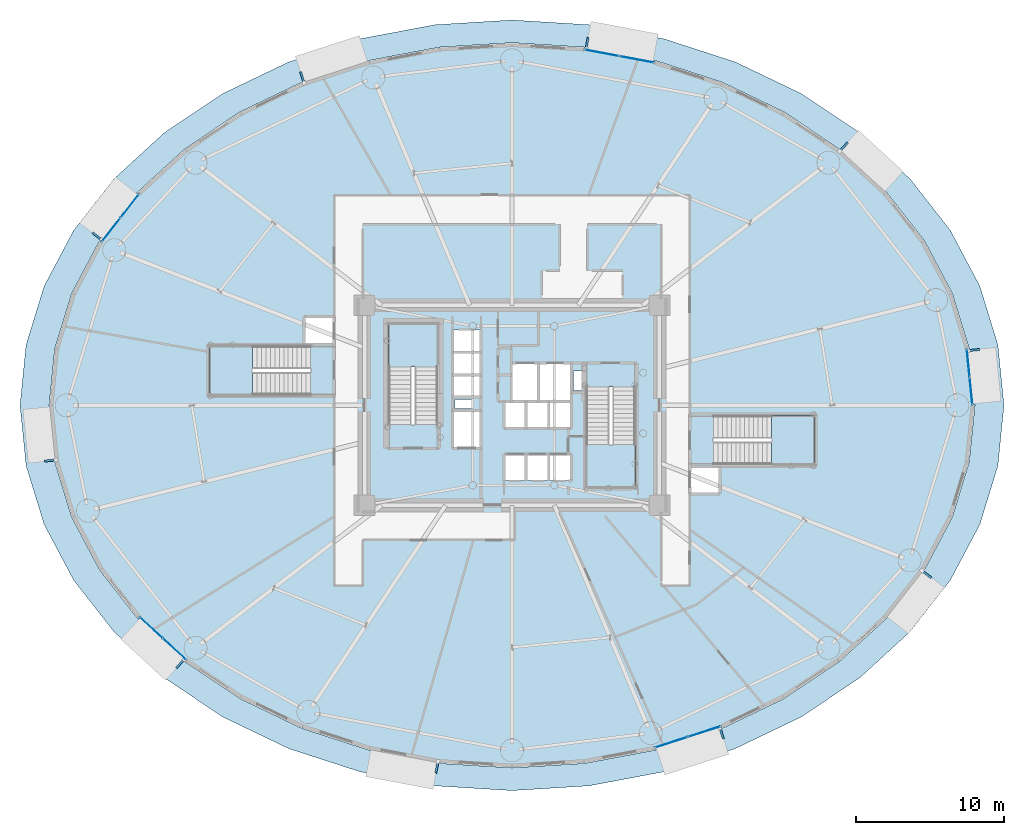
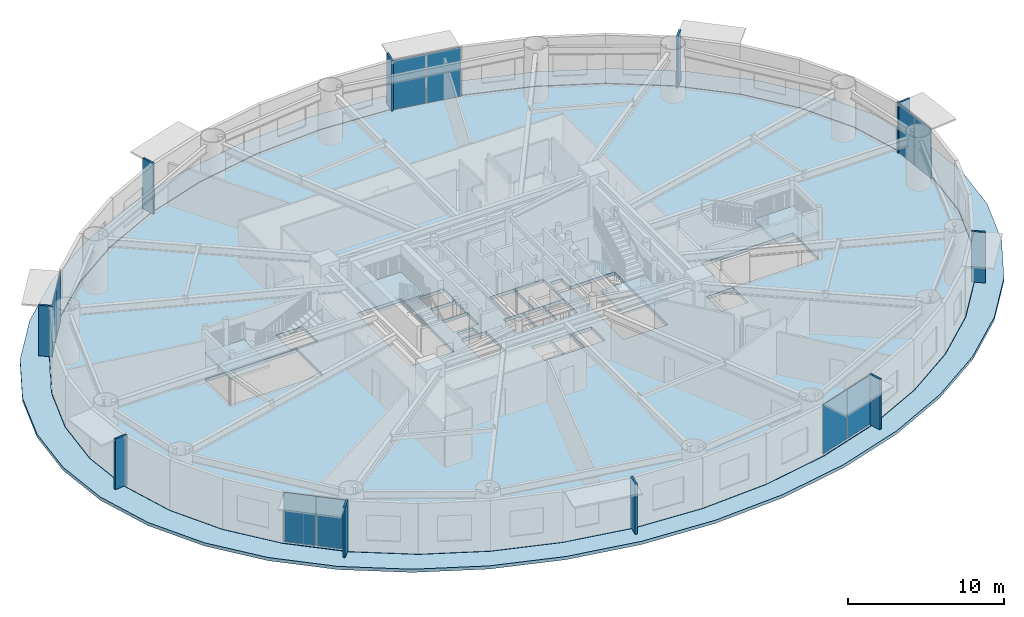
# One storey, part 15 of 35: 20 plates, 6 slabs, 9 elements without a shape of their own.
"""IFC4 building model written with IfcOpenShell, lengths in metres."""

from ifc_helpers import new_model, si_unit, direction, frame, origin, origin_2d, place, context, subcontext, project, spatial, polyline, rectangle, outline, extrude, source, transform, mapped, material, layer, layer_set, type_object, element, aggregate, save


model = new_model("IFC4")

# Units and contexts
model_context = context("Model", 3, precision=1e-05, world=origin(), true_north=direction((0.0, 1.0)))
body_context = subcontext(model_context, "Body", "Model", "MODEL_VIEW")
ifc_project = project(units=[si_unit("LENGTHUNIT", "METRE"), si_unit("AREAUNIT", "SQUARE_METRE"), si_unit("VOLUMEUNIT", "CUBIC_METRE"), si_unit("PLANEANGLEUNIT", "RADIAN"), si_unit("MASSUNIT", "GRAM", prefix="KILO")], contexts=[model_context])

# Site, building, storey
site_placement = place(None, origin())
site = spatial("IfcSite", under=ifc_project, at=site_placement, CompositionType="ELEMENT")
building_placement = place(site_placement, origin())
building = spatial("IfcBuilding", under=site, at=building_placement, Name="Linh Dai School and Residence Tower", CompositionType="ELEMENT")
storey_placement = place(building_placement, frame((0.0, 0.0, 32.39990234375)))
storey = spatial("IfcBuildingStorey", under=building, at=storey_placement, Name="L07", CompositionType="ELEMENT", Elevation=32.39990234375)

# Slabs
ifc_material_1 = material(Name="Concrete B45 (C35/45)", Category="concrete")
ifc_layer_1 = layer(ifc_material_1, 0.25)
ifc_layer_set_1 = layer_set([ifc_layer_1], Name="Concrete B45 (C35/45)")
slab_type_1 = type_object("IfcSlabType", Name="SLB-FLR250", PredefinedType="FLOOR", material=ifc_layer_set_1)
slab_1_placement = place(storey_placement, frame((0.0, 0.0, -0.25)))
element("IfcSlab", 1, at=slab_1_placement, inside=storey, type_object=slab_type_1, Name="L07 Composite Structural Floor Slab", PredefinedType="FLOOR", context=body_context, shape_type="SweptSolid", body=[
    extrude(outline(polyline([(67.199951171875, 27.0), (66.81591796875, 30.82177734375), (65.6728515625, 34.54931640625), (63.79931640625, 38.091064453125), (61.2412109375, 41.359619140625), (58.061767578125, 44.274658203125), (54.3388671875, 46.764404296875), (50.16455078125, 48.767333984375), (45.641357421875, 50.234375), (40.880859375, 51.129150390625), (36.0, 51.429931640625), (31.119140625, 51.129150390625), (26.358642578125, 50.234375), (21.83544921875, 48.767333984375), (17.6611328125, 46.764404296875), (13.938232421875, 44.274658203125), (10.7587890625, 41.359619140625), (8.20068359375, 38.091064453125), (6.3271484375, 34.54931640625), (5.18408203125, 30.82177734375), (4.800048828125, 27.0), (5.18408203125, 23.17822265625), (6.3271484375, 19.45068359375), (8.20068359375, 15.908935546875), (10.7587890625, 12.640380859375), (13.938232421875, 9.725341796875), (17.6611328125, 7.235595703125), (21.83544921875, 5.232666015625), (26.358642578125, 3.765625), (31.119140625, 2.870849609375), (36.0, 2.570068359375), (40.880859375, 2.870849609375), (45.641357421875, 3.765625), (50.16455078125, 5.232666015625), (54.3388671875, 7.235595703125), (58.061767578125, 9.725341796875), (61.2412109375, 12.640380859375), (63.79931640625, 15.908935546875), (65.6728515625, 19.45068359375), (66.81591796875, 23.17822265625), (67.199951171875, 27.0)]), holes=[polyline([(30.97998046875, 25.699951171875), (30.97998046875, 32.5), (27.679931640625, 32.5), (27.679931640625, 25.699951171875), (30.97998046875, 25.699951171875)]), polyline([(41.02001953125, 28.25), (41.02001953125, 21.449951171875), (44.320068359375, 21.449951171875), (44.320068359375, 28.25), (41.02001953125, 28.25)]), polyline([(22.39990234375, 31.0), (15.60009765625, 31.0), (15.60009765625, 27.699951171875), (22.39990234375, 27.699951171875), (22.39990234375, 31.0)]), polyline([(49.60009765625, 23.0), (56.39990234375, 23.0), (56.39990234375, 26.300048828125), (49.60009765625, 26.300048828125), (49.60009765625, 23.0)]), polyline([(35.97998046875, 27.280029296875), (37.77001953125, 27.280029296875), (37.77001953125, 29.820068359375), (35.97998046875, 29.820068359375), (35.97998046875, 27.280029296875)]), polyline([(32.030029296875, 24.1298828125), (33.8701171875, 24.1298828125), (33.8701171875, 26.6201171875), (32.030029296875, 26.6201171875), (32.030029296875, 24.1298828125)]), polyline([(37.830078125, 27.280029296875), (39.969970703125, 27.280029296875), (39.969970703125, 29.820068359375), (37.830078125, 29.820068359375), (37.830078125, 27.280029296875)]), polyline([(35.47998046875, 21.929931640625), (36.929931640625, 21.929931640625), (36.929931640625, 23.669921875), (35.47998046875, 23.669921875), (35.47998046875, 21.929931640625)]), polyline([(36.989990234375, 21.929931640625), (38.449951171875, 21.929931640625), (38.449951171875, 23.669921875), (36.989990234375, 23.669921875), (36.989990234375, 21.929931640625)]), polyline([(38.510009765625, 21.929931640625), (39.969970703125, 21.929931640625), (39.969970703125, 23.669921875), (38.510009765625, 23.669921875), (38.510009765625, 21.929931640625)]), polyline([(32.030029296875, 27.580078125), (33.8701171875, 27.580078125), (33.8701171875, 29.030029296875), (32.030029296875, 29.030029296875), (32.030029296875, 27.580078125)]), polyline([(32.030029296875, 29.090087890625), (33.8701171875, 29.090087890625), (33.8701171875, 30.550048828125), (32.030029296875, 30.550048828125), (32.030029296875, 29.090087890625)]), polyline([(32.030029296875, 30.610107421875), (33.8701171875, 30.610107421875), (33.8701171875, 32.070068359375), (32.030029296875, 32.070068359375), (32.030029296875, 30.610107421875)]), polyline([(35.47998046875, 25.47998046875), (36.929931640625, 25.47998046875), (36.929931640625, 27.219970703125), (35.47998046875, 27.219970703125), (35.47998046875, 25.47998046875)]), polyline([(36.989990234375, 25.47998046875), (38.449951171875, 25.47998046875), (38.449951171875, 27.219970703125), (36.989990234375, 27.219970703125), (36.989990234375, 25.47998046875)]), polyline([(38.510009765625, 25.47998046875), (39.969970703125, 25.47998046875), (39.969970703125, 27.219970703125), (38.510009765625, 27.219970703125), (38.510009765625, 25.47998046875)]), polyline([(21.97998046875, 31.080078125), (23.969970703125, 31.080078125), (23.969970703125, 32.969970703125), (21.97998046875, 32.969970703125), (21.97998046875, 31.080078125)]), polyline([(48.030029296875, 21.030029296875), (50.02001953125, 21.030029296875), (50.02001953125, 22.919921875), (48.030029296875, 22.919921875), (48.030029296875, 21.030029296875)]), polyline([(40.14990234375, 28.0), (40.14990234375, 29.300048828125), (41.0, 29.300048828125), (41.0, 28.280029296875), (40.989990234375, 28.280029296875), (40.989990234375, 28.0), (40.14990234375, 28.0)]), polyline([(32.14990234375, 26.800048828125), (33.35009765625, 26.800048828125), (33.35009765625, 27.39990234375), (32.14990234375, 27.39990234375), (32.14990234375, 26.800048828125)])]), origin(), (0.0, 0.0, 1.0), 0.25),
])
ifc_layer_2 = layer(ifc_material_1, 0.300048828125)
ifc_layer_set_2 = layer_set([ifc_layer_2], Name="Concrete B45 (C35/45)")
slab_type_2 = type_object("IfcSlabType", Name="SLB-ROOF300", PredefinedType="ROOF", material=ifc_layer_set_2)
slab_2_placement = place(storey_placement, frame((0.0, 0.0, -0.25)))
element("IfcSlab", 2, at=slab_2_placement, inside=storey, type_object=slab_type_2, Name="L07 Setback Step Insulated Roof Slab", PredefinedType="ROOF", context=body_context, shape_type="SweptSolid", body=[
    extrude(outline(polyline([(69.199951171875, 27.0), (68.791259765625, 31.0673828125), (67.5751953125, 35.034423828125), (65.581298828125, 38.8037109375), (62.859375, 42.282470703125), (59.475830078125, 45.384765625), (55.514404296875, 48.034423828125), (51.072509765625, 50.166259765625), (46.25927734375, 51.7275390625), (41.193603515625, 52.679931640625), (36.0, 53.0), (30.806396484375, 52.679931640625), (25.74072265625, 51.7275390625), (20.927490234375, 50.166259765625), (16.485595703125, 48.034423828125), (12.524169921875, 45.384765625), (9.140625, 42.282470703125), (6.418701171875, 38.8037109375), (4.4248046875, 35.034423828125), (3.208740234375, 31.0673828125), (2.800048828125, 27.0), (3.208740234375, 22.9326171875), (4.4248046875, 18.965576171875), (6.418701171875, 15.1962890625), (9.140625, 11.717529296875), (12.524169921875, 8.615234375), (16.485595703125, 5.965576171875), (20.927490234375, 3.833740234375), (25.74072265625, 2.2724609375), (30.806396484375, 1.320068359375), (36.0, 1.0), (41.193603515625, 1.320068359375), (46.25927734375, 2.2724609375), (51.072509765625, 3.833740234375), (55.514404296875, 5.965576171875), (59.475830078125, 8.615234375), (62.859375, 11.717529296875), (65.581298828125, 15.1962890625), (67.5751953125, 18.965576171875), (68.791259765625, 22.9326171875), (69.199951171875, 27.0)]), holes=[polyline([(67.22998046875, 27.0), (66.845458984375, 30.826416015625), (65.701416015625, 34.55859375), (63.826171875, 38.1044921875), (61.265625, 41.377197265625), (58.0830078125, 44.2958984375), (54.3564453125, 46.78857421875), (50.17822265625, 48.7939453125), (45.650634765625, 50.262939453125), (40.885498046875, 51.158935546875), (36.0, 51.4599609375), (31.114501953125, 51.158935546875), (26.349365234375, 50.262939453125), (21.82177734375, 48.7939453125), (17.6435546875, 46.78857421875), (13.9169921875, 44.2958984375), (10.734375, 41.377197265625), (8.173828125, 38.1044921875), (6.298583984375, 34.55859375), (5.154541015625, 30.826416015625), (4.77001953125, 27.0), (5.154541015625, 23.173583984375), (6.298583984375, 19.44140625), (8.173828125, 15.8955078125), (10.734375, 12.622802734375), (13.9169921875, 9.7041015625), (17.6435546875, 7.21142578125), (21.82177734375, 5.2060546875), (26.349365234375, 3.737060546875), (31.114501953125, 2.841064453125), (36.0, 2.5400390625), (40.885498046875, 2.841064453125), (45.650634765625, 3.737060546875), (50.17822265625, 5.2060546875), (54.3564453125, 7.21142578125), (58.0830078125, 9.7041015625), (61.265625, 12.622802734375), (63.826171875, 15.8955078125), (65.701416015625, 19.44140625), (66.845458984375, 23.173583984375), (67.22998046875, 27.0)])]), origin(), (0.0, 0.0, 1.0), 0.25),
])

# Stair, slab
stair_type = type_object("IfcStairType", Name="ST-DOG-1550-R1500", PredefinedType="HALF_TURN_STAIR", material=ifc_material_1)
stair_1_placement = place(storey_placement, origin())
stair_1 = element("IfcStair", 3, at=stair_1_placement, inside=storey, type_object=stair_type, Name="L07 Core Smokeproof Exit Stair ST1", PredefinedType="HALF_TURN_STAIR")
ifc_layer_3 = layer(ifc_material_1, 0.199951171875)
ifc_layer_set_3 = layer_set([ifc_layer_3], Name="Concrete B45 (C35/45)")
slab_type_3 = type_object("IfcSlabType", Name="SLB-ST-LANDING-200", PredefinedType="LANDING", material=ifc_layer_set_3)
slab_3_placement = place(storey_placement, frame((0.0, 0.0, 1.900146484375)))
slab_3 = element("IfcSlab", 4, at=slab_3_placement, type_object=slab_type_3, Name="ST1 landing 1", PredefinedType="LANDING", context=body_context, shape_type="SweptSolid", body=[
    extrude(outline(polyline([(30.97998046875, 29.60009765625), (30.97998046875, 32.5), (27.679931640625, 32.5), (27.679931640625, 29.60009765625), (30.97998046875, 29.60009765625)])), origin(), (0.0, 0.0, 1.0), 0.199951171875),
])
aggregate(stair_1, [slab_3])

stair_2_placement = place(storey_placement, origin())
stair_2 = element("IfcStair", 5, at=stair_2_placement, inside=storey, type_object=stair_type, Name="L07 Core Smokeproof Exit Stair ST2", PredefinedType="HALF_TURN_STAIR")
slab_4_placement = place(storey_placement, frame((0.0, 0.0, 1.900146484375)))
slab_4 = element("IfcSlab", 6, at=slab_4_placement, type_object=slab_type_3, Name="ST2 landing 1", PredefinedType="LANDING", context=body_context, shape_type="SweptSolid", body=[
    extrude(outline(polyline([(41.02001953125, 24.35009765625), (41.02001953125, 21.449951171875), (44.320068359375, 21.449951171875), (44.320068359375, 24.35009765625), (41.02001953125, 24.35009765625)])), origin(), (0.0, 0.0, 1.0), 0.199951171875),
])
aggregate(stair_2, [slab_4])

stair_3_placement = place(storey_placement, origin())
stair_3 = element("IfcStair", 7, at=stair_3_placement, inside=storey, type_object=stair_type, Name="L07 School Exit Stair STS1", PredefinedType="HALF_TURN_STAIR")
slab_5_placement = place(storey_placement, frame((0.0, 0.0, 1.900146484375)))
slab_5 = element("IfcSlab", 8, at=slab_5_placement, type_object=slab_type_3, Name="STS1 landing 1", PredefinedType="LANDING", context=body_context, shape_type="SweptSolid", body=[
    extrude(outline(polyline([(18.5, 31.0), (15.60009765625, 31.0), (15.60009765625, 27.699951171875), (18.5, 27.699951171875), (18.5, 31.0)])), origin(), (0.0, 0.0, 1.0), 0.199951171875),
])
aggregate(stair_3, [slab_5])

stair_4_placement = place(storey_placement, origin())
stair_4 = element("IfcStair", 9, at=stair_4_placement, inside=storey, type_object=stair_type, Name="L07 School Exit Stair STS2", PredefinedType="HALF_TURN_STAIR")
slab_6_placement = place(storey_placement, frame((0.0, 0.0, 1.900146484375)))
slab_6 = element("IfcSlab", 10, at=slab_6_placement, type_object=slab_type_3, Name="STS2 landing 1", PredefinedType="LANDING", context=body_context, shape_type="SweptSolid", body=[
    extrude(outline(polyline([(53.5, 23.0), (56.39990234375, 23.0), (56.39990234375, 26.300048828125), (53.5, 26.300048828125), (53.5, 23.0)])), origin(), (0.0, 0.0, 1.0), 0.199951171875),
])
aggregate(stair_4, [slab_6])

# Curtain wall, plates
ifc_material_2 = material(Name="Aluminium Anodised Curtain Wall", Category="aluminium")
ifc_layer_4 = layer(ifc_material_2, 0.159912109375)
ifc_layer_set_4 = layer_set([ifc_layer_4], Name="Aluminium Anodised Curtain Wall")
curtain_wall_type = type_object("IfcCurtainWallType", Name="CW-SYS-3", PredefinedType="USERDEFINED", material=ifc_layer_set_4)
curtain_wall_1_placement = place(storey_placement, origin())
curtain_wall_1 = element("IfcCurtainWall", 11, at=curtain_wall_1_placement, inside=storey, type_object=curtain_wall_type, Name="L07 CW3 Curtain Wall 01", ObjectType="RIBBON CURTAIN WALL", PredefinedType="USERDEFINED")
ifc_material_3 = material(Name="Double Low-E Insulated Glazing", Category="glass")
ifc_layer_5 = layer(ifc_material_3, 0.028076171875)
ifc_layer_set_5 = layer_set([ifc_layer_5], Name="Double Low-E Insulated Glazing")
plate_type_1 = type_object("IfcPlateType", Name="CW-SYS-3-PAN", PredefinedType="CURTAIN_PANEL", material=ifc_layer_set_5)
shared_shape_1 = source(origin(), body_context, "Body", "SweptSolid", [
    extrude(rectangle(XDim=1.825439453125, YDim=0.028076171875, at=origin_2d()), origin(), (0.0, 0.0, 1.0), 3.840087890625),
])
plate_1_placement = place(storey_placement, frame((66.7900390625, 29.833984375, 0.05517578125), z_axis=(0.0, 0.0, 1.0), x_axis=(0.100009387998, -0.994986493533, 0.0)))
plate_1 = element("IfcPlate", 12, at=plate_1_placement, type_object=plate_type_1, Name="CW3 panel 1.1", PredefinedType="CURTAIN_PANEL", context=body_context, shape_type="MappedRepresentation", body=[
    mapped(shared_shape_1, transform((0.0, 0.0, 0.0), x_axis=(1.0, 0.0, 0.0), y_axis=(0.0, 1.0, 0.0), z_axis=(0.0, 0.0, 1.0), scale=1.0)),
])
plate_2_placement = place(storey_placement, frame((66.978271484375, 27.962890625, 0.05517578125), z_axis=(0.0, 0.0, 1.0), x_axis=(0.100009387998, -0.994986493533, 0.0)))
plate_2 = element("IfcPlate", 13, at=plate_2_placement, type_object=plate_type_1, Name="CW3 panel 2.1", PredefinedType="CURTAIN_PANEL", context=body_context, shape_type="MappedRepresentation", body=[
    mapped(shared_shape_1, transform((0.0, 0.0, 0.0), x_axis=(1.0, 0.0, 0.0), y_axis=(0.0, 1.0, 0.0), z_axis=(0.0, 0.0, 1.0), scale=1.0)),
])
aggregate(curtain_wall_1, [plate_1, plate_2])

# Plates
ifc_material_4 = material(Name="Precast Concrete B45 (C35/45)", Category="concrete")
ifc_layer_6 = layer(ifc_material_4, 0.139892578125)
ifc_layer_set_6 = layer_set([ifc_layer_6], Name="Precast Concrete B45 (C35/45)")
plate_type_2 = type_object("IfcPlateType", Name="FIN-TC-900x140", PredefinedType="USERDEFINED", material=ifc_layer_set_6)
shared_shape_2 = source(origin(), body_context, "Body", "SweptSolid", [
    extrude(rectangle(XDim=0.89990234375, YDim=0.139892578125, at=origin_2d()), origin(), (0.0, 0.0, 1.0), 3.949951171875),
])
for number, where, z_axis, x_axis, name in (
    (14, (67.11328125, 30.718505859375, 0.0), (0.0, 0.0, 1.0), (0.994986493533, 0.100009387998, 0.0), "L07 Precast Terracotta Radial Fin 01"),
    (15, (58.35009765625, 44.397216796875, 0.0), (0.0, 0.0, 1.0), (0.675769237268, 0.737113246362, 0.0), "L07 Precast Terracotta Radial Fin 05"),
    (16, (41.05908203125, 51.385986328125, 0.0), (0.0, 0.0, 1.0), (0.184747948944, 0.982785935675, 0.0), "L07 Precast Terracotta Radial Fin 09"),
    (17, (21.869384765625, 49.078125, 0.0), (0.0, 0.0, 1.0), (-0.308510993844, 0.951220777043, 0.0), "L07 Precast Terracotta Radial Fin 13"),
    (18, (8.056396484375, 38.3701171875, 0.0), (0.0, 0.0, 1.0), (-0.787496262172, 0.616319427785, 0.0), "L07 Precast Terracotta Radial Fin 17"),
    (19, (4.88671875, 23.281494140625, 0.0), (0.0, 0.0, 1.0), (-0.994986493533, -0.100009387998, 0.0), "L07 Precast Terracotta Radial Fin 21"),
    (20, (13.64990234375, 9.602783203125, 0.0), (0.0, 0.0, 1.0), (-0.675769237268, -0.737113246362, 0.0), "L07 Precast Terracotta Radial Fin 25"),
    (21, (30.94091796875, 2.614013671875, 0.0), (0.0, 0.0, 1.0), (-0.184747948944, -0.982785935675, 0.0), "L07 Precast Terracotta Radial Fin 29"),
    (22, (50.130615234375, 4.921875, 0.0), (0.0, 0.0, 1.0), (0.308510993844, -0.951220777043, 0.0), "L07 Precast Terracotta Radial Fin 33"),
    (23, (63.943603515625, 15.6298828125, 0.0), (0.0, 0.0, 1.0), (0.787496262172, -0.616319427785, 0.0), "L07 Precast Terracotta Radial Fin 37"),
):
    element("IfcPlate", number, at=place(storey_placement, frame(where, z_axis=z_axis, x_axis=x_axis)), inside=storey, type_object=plate_type_2, Name=name, ObjectType="RADIAL FIN", PredefinedType="USERDEFINED", context=body_context, shape_type="MappedRepresentation", body=[
        mapped(shared_shape_2, transform((0.0, 0.0, 0.0), x_axis=(1.0, 0.0, 0.0), y_axis=(0.0, 1.0, 0.0), z_axis=(0.0, 0.0, 1.0), scale=1.0)),
    ])

# Curtain wall, plates
curtain_wall_2_placement = place(storey_placement, origin())
curtain_wall_2 = element("IfcCurtainWall", 24, at=curtain_wall_2_placement, inside=storey, type_object=curtain_wall_type, Name="L07 CW3 Curtain Wall 09", ObjectType="RIBBON CURTAIN WALL", PredefinedType="USERDEFINED")
shared_shape_3 = source(origin(), body_context, "Body", "SweptSolid", [
    extrude(rectangle(XDim=2.33154296875, YDim=0.028076171875, at=origin_2d()), origin(), (0.0, 0.0, 1.0), 3.840087890625),
])
plate_3_placement = place(storey_placement, frame((42.065185546875, 50.779541015625, 0.05517578125), z_axis=(0.0, 0.0, 1.0), x_axis=(0.982785935675, -0.184747948944, 0.0)))
plate_3 = element("IfcPlate", 25, at=plate_3_placement, type_object=plate_type_1, Name="CW3 panel 1.1", PredefinedType="CURTAIN_PANEL", context=body_context, shape_type="MappedRepresentation", body=[
    mapped(shared_shape_3, transform((0.0, 0.0, 0.0), x_axis=(1.0, 0.0, 0.0), y_axis=(0.0, 1.0, 0.0), z_axis=(0.0, 0.0, 1.0), scale=1.0)),
])
plate_4_placement = place(storey_placement, frame((44.41064453125, 50.338623046875, 0.05517578125), z_axis=(0.0, 0.0, 1.0), x_axis=(0.982785935675, -0.184747948944, 0.0)))
plate_4 = element("IfcPlate", 26, at=plate_4_placement, type_object=plate_type_1, Name="CW3 panel 2.1", PredefinedType="CURTAIN_PANEL", context=body_context, shape_type="MappedRepresentation", body=[
    mapped(shared_shape_3, transform((0.0, 0.0, 0.0), x_axis=(1.0, 0.0, 0.0), y_axis=(0.0, 1.0, 0.0), z_axis=(0.0, 0.0, 1.0), scale=1.0)),
])
aggregate(curtain_wall_2, [plate_3, plate_4])

curtain_wall_3_placement = place(storey_placement, origin())
curtain_wall_3 = element("IfcCurtainWall", 27, at=curtain_wall_3_placement, inside=storey, type_object=curtain_wall_type, Name="L07 CW3 Curtain Wall 17", ObjectType="RIBBON CURTAIN WALL", PredefinedType="USERDEFINED")
shared_shape_4 = source(origin(), body_context, "Body", "SweptSolid", [
    extrude(rectangle(XDim=1.982177734375, YDim=0.028076171875, at=origin_2d()), origin(), (0.0, 0.0, 1.0), 3.840087890625),
])
plate_5_placement = place(storey_placement, frame((8.9501953125, 38.8466796875, 0.05517578125), z_axis=(0.0, 0.0, 1.0), x_axis=(0.616319427785, 0.787496262172, 0.0)))
plate_5 = element("IfcPlate", 28, at=plate_5_placement, type_object=plate_type_1, Name="CW3 panel 1.1", PredefinedType="CURTAIN_PANEL", context=body_context, shape_type="MappedRepresentation", body=[
    mapped(shared_shape_4, transform((0.0, 0.0, 0.0), x_axis=(1.0, 0.0, 0.0), y_axis=(0.0, 1.0, 0.0), z_axis=(0.0, 0.0, 1.0), scale=1.0)),
])
plate_6_placement = place(storey_placement, frame((10.20556640625, 40.45068359375, 0.05517578125), z_axis=(0.0, 0.0, 1.0), x_axis=(0.616319427785, 0.787496262172, 0.0)))
plate_6 = element("IfcPlate", 29, at=plate_6_placement, type_object=plate_type_1, Name="CW3 panel 2.1", PredefinedType="CURTAIN_PANEL", context=body_context, shape_type="MappedRepresentation", body=[
    mapped(shared_shape_4, transform((0.0, 0.0, 0.0), x_axis=(1.0, 0.0, 0.0), y_axis=(0.0, 1.0, 0.0), z_axis=(0.0, 0.0, 1.0), scale=1.0)),
])
aggregate(curtain_wall_3, [plate_5, plate_6])

curtain_wall_4_placement = place(storey_placement, origin())
curtain_wall_4 = element("IfcCurtainWall", 30, at=curtain_wall_4_placement, inside=storey, type_object=curtain_wall_type, Name="L07 CW3 Curtain Wall 25", ObjectType="RIBBON CURTAIN WALL", PredefinedType="USERDEFINED")
shared_shape_5 = source(origin(), body_context, "Body", "SweptSolid", [
    extrude(rectangle(XDim=2.064453125, YDim=0.028076171875, at=origin_2d()), origin(), (0.0, 0.0, 1.0), 3.840087890625),
])
plate_7_placement = place(storey_placement, frame((13.2138671875, 10.55859375, 0.05517578125), z_axis=(0.0, 0.0, 1.0), x_axis=(-0.737113246362, 0.675769237268, 0.0)))
plate_7 = element("IfcPlate", 31, at=plate_7_placement, type_object=plate_type_1, Name="CW3 panel 1.1", PredefinedType="CURTAIN_PANEL", context=body_context, shape_type="MappedRepresentation", body=[
    mapped(shared_shape_5, transform((0.0, 0.0, 0.0), x_axis=(1.0, 0.0, 0.0), y_axis=(0.0, 1.0, 0.0), z_axis=(0.0, 0.0, 1.0), scale=1.0)),
])
plate_8_placement = place(storey_placement, frame((11.651611328125, 11.99072265625, 0.05517578125), z_axis=(0.0, 0.0, 1.0), x_axis=(-0.737113246362, 0.675769237268, 0.0)))
plate_8 = element("IfcPlate", 32, at=plate_8_placement, type_object=plate_type_1, Name="CW3 panel 2.1", PredefinedType="CURTAIN_PANEL", context=body_context, shape_type="MappedRepresentation", body=[
    mapped(shared_shape_5, transform((0.0, 0.0, 0.0), x_axis=(1.0, 0.0, 0.0), y_axis=(0.0, 1.0, 0.0), z_axis=(0.0, 0.0, 1.0), scale=1.0)),
])
aggregate(curtain_wall_4, [plate_7, plate_8])

curtain_wall_5_placement = place(storey_placement, origin())
curtain_wall_5 = element("IfcCurtainWall", 33, at=curtain_wall_5_placement, inside=storey, type_object=curtain_wall_type, Name="L07 CW3 Curtain Wall 33", ObjectType="RIBBON CURTAIN WALL", PredefinedType="USERDEFINED")
shared_shape_6 = source(origin(), body_context, "Body", "SweptSolid", [
    extrude(rectangle(XDim=2.286865234375, YDim=0.028076171875, at=origin_2d()), origin(), (0.0, 0.0, 1.0), 3.840087890625),
])
plate_9_placement = place(storey_placement, frame((48.978271484375, 4.97900390625, 0.05517578125), z_axis=(0.0, 0.0, 1.0), x_axis=(-0.951220777043, -0.308510993844, 0.0)))
plate_9 = element("IfcPlate", 34, at=plate_9_placement, type_object=plate_type_1, Name="CW3 panel 1.1", PredefinedType="CURTAIN_PANEL", context=body_context, shape_type="MappedRepresentation", body=[
    mapped(shared_shape_6, transform((0.0, 0.0, 0.0), x_axis=(1.0, 0.0, 0.0), y_axis=(0.0, 1.0, 0.0), z_axis=(0.0, 0.0, 1.0), scale=1.0)),
])
plate_10_placement = place(storey_placement, frame((46.75048828125, 4.256591796875, 0.05517578125), z_axis=(0.0, 0.0, 1.0), x_axis=(-0.951220777043, -0.308510993844, 0.0)))
plate_10 = element("IfcPlate", 35, at=plate_10_placement, type_object=plate_type_1, Name="CW3 panel 2.1", PredefinedType="CURTAIN_PANEL", context=body_context, shape_type="MappedRepresentation", body=[
    mapped(shared_shape_6, transform((0.0, 0.0, 0.0), x_axis=(1.0, 0.0, 0.0), y_axis=(0.0, 1.0, 0.0), z_axis=(0.0, 0.0, 1.0), scale=1.0)),
])
aggregate(curtain_wall_5, [plate_9, plate_10])

save(model, "model.ifc")
